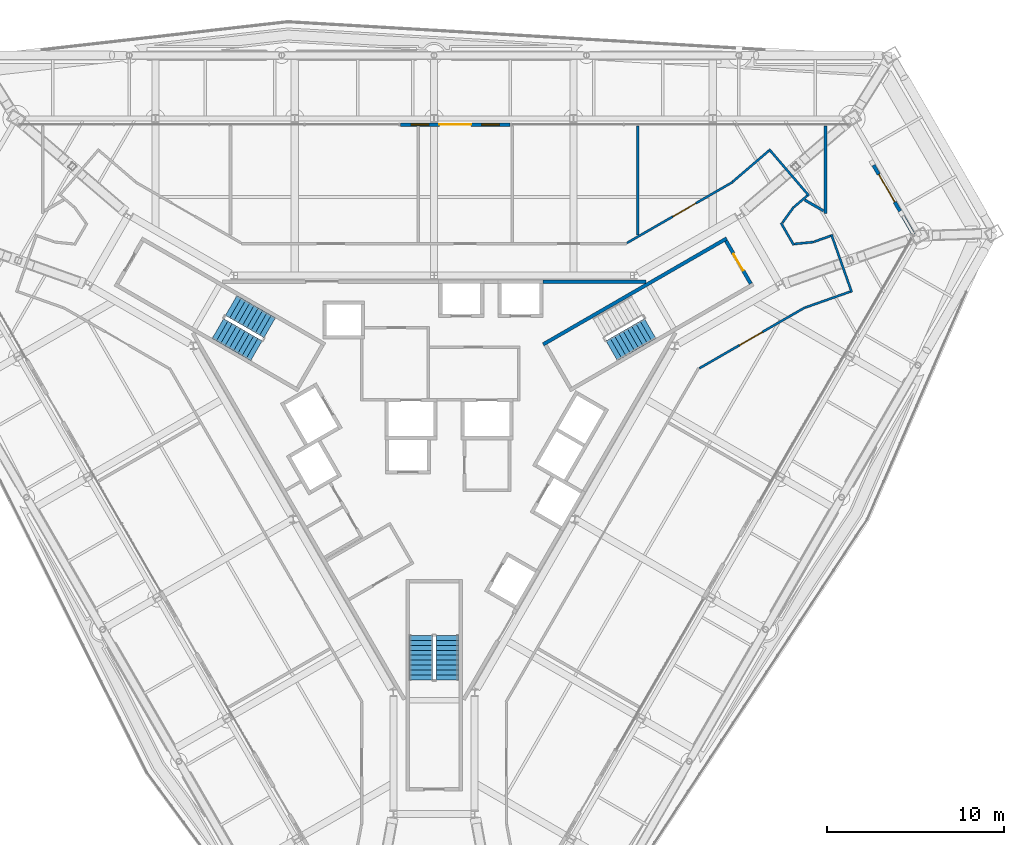
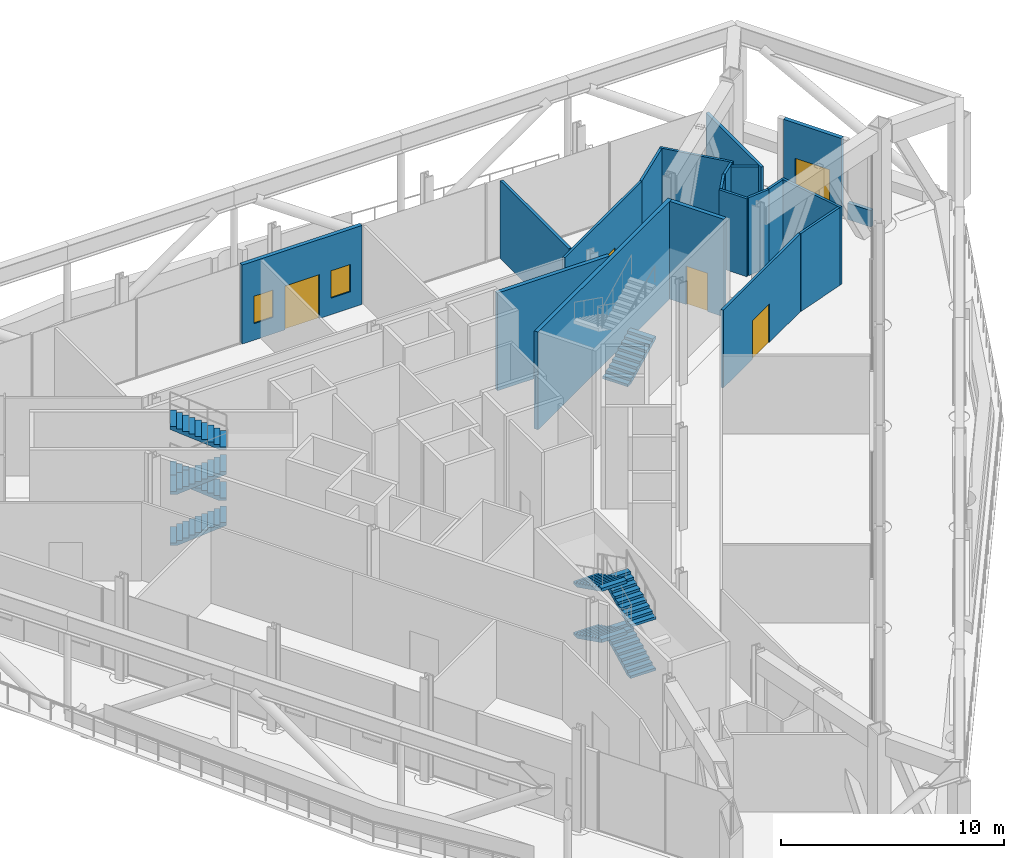
# One storey, part 19 of 26: 20 walls, 9 stair flights, 5 doors, 2 windows, 7 openings, 3 elements without a shape of their own.
"""IFC4 building model written with IfcOpenShell, lengths in metres."""

from ifc_helpers import new_model, si_unit, direction, frame, frame_2d, origin, place, context, subcontext, project, spatial, polyline, rectangle, outline, extrude, material, layer, layer_set, type_object, element, fill, aggregate, save


model = new_model("IFC4")

# Units and contexts
model_context = context("Model", 3, precision=1e-05, world=origin(), true_north=direction((0.0, 1.0)))
body_context = subcontext(model_context, "Body", "Model", "MODEL_VIEW")
ifc_project = project(units=[si_unit("LENGTHUNIT", "METRE"), si_unit("AREAUNIT", "SQUARE_METRE"), si_unit("VOLUMEUNIT", "CUBIC_METRE"), si_unit("PLANEANGLEUNIT", "RADIAN"), si_unit("MASSUNIT", "GRAM", prefix="KILO")], contexts=[model_context])

# Site, building, storey
site_placement = place(None, origin())
site = spatial("IfcSite", under=ifc_project, at=site_placement, CompositionType="ELEMENT")
building_placement = place(site_placement, origin())
building = spatial("IfcBuilding", under=site, at=building_placement, Name="Verrane Prism Tower", CompositionType="ELEMENT")
storey_placement = place(building_placement, frame((0.0, 0.0, 87.199951171875)))
storey = spatial("IfcBuildingStorey", under=building, at=storey_placement, Name="L20", CompositionType="ELEMENT", Elevation=87.199951171875)

# Wall
ifc_material_1 = material(Name="Gypsum board partition", Category="other")
ifc_layer_1 = layer(ifc_material_1, 0.199951171875)
ifc_layer_set_1 = layer_set([ifc_layer_1], Name="CW-200 core boundary wall 2 h")
wall_type_1 = type_object("IfcWallType", Name="CW-200 core boundary wall 2 h", PredefinedType="PARTITIONING", material=ifc_layer_set_1)
wall_1_placement = place(storey_placement, frame((6.177001953125, 8.860107421875, 0.0), z_axis=(0.0, 0.0, 1.0), x_axis=(1.0, 0.0, 0.0)))
element("IfcWall", 1, at=wall_1_placement, inside=storey, type_object=wall_type_1, Name="Core boundary wall CW3-006", PredefinedType="PARTITIONING", context=body_context, shape_type="SweptSolid", body=[
    extrude(rectangle(XDim=5.81396484375, YDim=0.199951171875, at=frame_2d((2.906982421875, 0.0))), origin(), (0.0, 0.0, 1.0), 5.35009765625),
])

# Wall, opening, door
ifc_material_2 = material(Name="Concrete C40/50", Category="concrete")
ifc_layer_2 = layer(ifc_material_2, 0.199951171875)
ifc_layer_set_2 = layer_set([ifc_layer_2], Name="CW-200 stair core wall concrete C40/50 3 h")
wall_type_2 = type_object("IfcWallType", Name="CW-200 stair core wall concrete C40/50 3 h", PredefinedType="PARTITIONING", material=ifc_layer_set_2)
wall_2_placement = place(storey_placement, frame((17.933837890625, 8.737548828125, 0.0), z_axis=(0.0, 0.0, 1.0), x_axis=(-0.49998411664, 0.866034573852, 0.0)))
wall_2 = element("IfcWall", 2, at=wall_2_placement, inside=storey, type_object=wall_type_2, Name="Stair 1 enclosure wall", PredefinedType="PARTITIONING", context=body_context, shape_type="SweptSolid", body=[
    extrude(rectangle(XDim=2.7998046875, YDim=0.199951171875, at=frame_2d((1.39990234375, 0.0))), origin(), (0.0, 0.0, 1.0), 5.35009765625),
])
opening_1_placement = place(wall_2_placement, frame((0.849853515625, 0.0, 0.0)))
opening_1 = element("IfcOpeningElement", 3, at=opening_1_placement, cuts=wall_2, Name="Opening D20500", PredefinedType="OPENING", context=body_context, shape_type="SweptSolid", body=[
    extrude(rectangle(XDim=1.10009765625, YDim=2.10009765625, at=frame_2d((0.550048828125, 1.050048828125))), frame((0.0, 0.10986328125, 0.0), z_axis=(0.0, -1.0, 0.0), x_axis=(1.0, 0.0, 0.0)), (0.0, 0.0, 1.0), 0.219970703125),
])
ifc_material_3 = material(Name="Timber veneered door leaf", Category="wood")
door_type_1 = type_object("IfcDoorType", Name="DR-1100x2100 FD90 single leaf stair", OperationType="NOTDEFINED", PredefinedType="DOOR", material=ifc_material_3)
door_1_placement = place(opening_1_placement, origin())
door_1 = element("IfcDoor", 4, at=door_1_placement, inside=storey, type_object=door_type_1, Name="Stair 1 door", OperationType="SINGLE_SWING_LEFT", OverallHeight=2.10009765625, OverallWidth=1.10009765625, PredefinedType="DOOR", context=body_context, shape_type="SweptSolid", body=[
    extrude(rectangle(XDim=1.10009765625, YDim=2.10009765625, at=frame_2d((0.550048828125, 1.050048828125))), frame((0.0, 0.02490234375, 0.0), z_axis=(0.0, -1.0, 0.0), x_axis=(1.0, 0.0, 0.0)), (0.0, 0.0, 1.0), 0.050048828125),
])
fill(opening_1, door_1)

# Wall
wall_3_placement = place(storey_placement, frame((6.17822265625, 5.299072265625, 0.0), z_axis=(0.0, 0.0, 1.0), x_axis=(0.866026010844, 0.49999894854, 0.0)))
element("IfcWall", 5, at=wall_3_placement, inside=storey, type_object=wall_type_2, Name="Stair 1 enclosure wall", PredefinedType="PARTITIONING", context=body_context, shape_type="SweptSolid", body=[
    extrude(rectangle(XDim=12.0, YDim=0.199951171875, at=frame_2d((6.0, 0.0))), origin(), (0.0, 0.0, 1.0), 5.35009765625),
])

# Wall, opening, door
ifc_material_4 = material(Name="Gypsum board partition", Category="other")
ifc_layer_3 = layer(ifc_material_4, 0.125)
ifc_layer_set_3 = layer_set([ifc_layer_3], Name="PW-125 corridor wall 1 h")
wall_type_3 = type_object("IfcWallType", Name="PW-125 corridor wall 1 h", PredefinedType="PARTITIONING", material=ifc_layer_set_3)
wall_4_placement = place(storey_placement, frame((10.922607421875, 11.04248046875, 0.0), z_axis=(0.0, 0.0, 1.0), x_axis=(0.866404548649, 0.499342726071, 0.0)))
wall_4 = element("IfcWall", 6, at=wall_4_placement, inside=storey, type_object=wall_type_3, Name="Corridor wall 036", PredefinedType="PARTITIONING", context=body_context, shape_type="SweptSolid", body=[
    extrude(rectangle(XDim=6.902587890625, YDim=0.125, at=frame_2d((3.451171875, 0.0))), origin(), (0.0, 0.0, 1.0), 4.261962890625),
])
opening_2_placement = place(wall_4_placement, frame((2.998046875, 0.0, 0.0)))
opening_2 = element("IfcOpeningElement", 7, at=opening_2_placement, cuts=wall_4, Name="Opening D20001", PredefinedType="OPENING", context=body_context, shape_type="SweptSolid", body=[
    extrude(rectangle(XDim=1.5, YDim=2.10009765625, at=frame_2d((0.75, 1.050048828125))), frame((0.0, 0.072509765625, 0.0), z_axis=(0.0, -1.0, 0.0), x_axis=(1.0, 0.0, 0.0)), (0.0, 0.0, 1.0), 0.14501953125),
])
ifc_material_5 = material(Name="Timber veneered door leaf", Category="wood")
door_type_2 = type_object("IfcDoorType", Name="DR-1500x2100 FD60 double leaf unit", OperationType="NOTDEFINED", PredefinedType="DOOR", material=ifc_material_5)
door_2_placement = place(opening_2_placement, origin())
door_2 = element("IfcDoor", 8, at=door_2_placement, inside=storey, type_object=door_type_2, Name="Mechanical Plant Room door", OperationType="DOUBLE_DOOR_SINGLE_SWING", OverallHeight=2.10009765625, OverallWidth=1.5, PredefinedType="DOOR", context=body_context, shape_type="SweptSolid", body=[
    extrude(rectangle(XDim=1.5, YDim=2.10009765625, at=frame_2d((0.75, 1.050048828125))), frame((0.0, 0.02490234375, 0.0), z_axis=(0.0, -1.0, 0.0), x_axis=(1.0, 0.0, 0.0)), (0.0, 0.0, 1.0), 0.050048828125),
])
fill(opening_2, door_2)

wall_5_placement = place(storey_placement, frame((21.01025390625, 7.395263671875, 0.0), z_axis=(0.0, 0.0, 1.0), x_axis=(-0.866435403895, -0.49928918562, 0.0)))
wall_5 = element("IfcWall", 9, at=wall_5_placement, inside=storey, type_object=wall_type_3, Name="Corridor wall 039", PredefinedType="PARTITIONING", context=body_context, shape_type="SweptSolid", body=[
    extrude(rectangle(XDim=6.91162109375, YDim=0.125, at=frame_2d((3.455810546875, 0.0))), origin(), (0.0, 0.0, 1.0), 4.261962890625),
])
opening_3_placement = place(wall_5_placement, frame((2.796630859375, 0.0, 0.0)))
opening_3 = element("IfcOpeningElement", 10, at=opening_3_placement, cuts=wall_5, Name="Opening D20011", PredefinedType="OPENING", context=body_context, shape_type="SweptSolid", body=[
    extrude(rectangle(XDim=1.5, YDim=2.10009765625, at=frame_2d((0.75, 1.050048828125))), frame((0.0, 0.072509765625, 0.0), z_axis=(0.0, -1.0, 0.0), x_axis=(1.0, 0.0, 0.0)), (0.0, 0.0, 1.0), 0.14501953125),
])
door_3_placement = place(opening_3_placement, origin())
door_3 = element("IfcDoor", 11, at=door_3_placement, inside=storey, type_object=door_type_2, Name="Refuge Area door", OperationType="DOUBLE_DOOR_SINGLE_SWING", OverallHeight=2.10009765625, OverallWidth=1.5, PredefinedType="DOOR", context=body_context, shape_type="SweptSolid", body=[
    extrude(rectangle(XDim=1.5, YDim=2.10009765625, at=frame_2d((0.75, 1.050048828125))), frame((0.0, 0.02490234375, 0.0), z_axis=(0.0, -1.0, 0.0), x_axis=(1.0, 0.0, 0.0)), (0.0, 0.0, 1.0), 0.050048828125),
])
fill(opening_3, door_3)

# Walls
wall_6_placement = place(storey_placement, frame((16.906005859375, 14.5068359375, 0.0), z_axis=(0.0, 0.0, 1.0), x_axis=(0.759180150355, 0.650880556866, 0.0)))
element("IfcWall", 12, at=wall_6_placement, inside=storey, type_object=wall_type_3, Name="Corridor wall 040", PredefinedType="PARTITIONING", context=body_context, shape_type="SweptSolid", body=[
    extrude(rectangle(XDim=2.705078125, YDim=0.125, at=frame_2d((1.3525390625, 0.0))), origin(), (0.0, 0.0, 1.0), 4.261962890625),
])
wall_7_placement = place(storey_placement, frame((18.96826171875, 16.357421875, 0.0), z_axis=(0.0, 0.0, 1.0), x_axis=(0.650692980458, -0.759340928162, 0.0)))
element("IfcWall", 13, at=wall_7_placement, inside=storey, type_object=wall_type_3, Name="Corridor wall 041", PredefinedType="PARTITIONING", context=body_context, shape_type="SweptSolid", body=[
    extrude(rectangle(XDim=3.473876953125, YDim=0.125, at=frame_2d((1.73681640625, 0.0))), origin(), (0.0, 0.0, 1.0), 4.261962890625),
])
wall_8_placement = place(storey_placement, frame((19.646728515625, 12.176025390625, 0.0), z_axis=(0.0, 0.0, 1.0), x_axis=(0.500429691499, -0.865777179109, 0.0)))
element("IfcWall", 14, at=wall_8_placement, inside=storey, type_object=wall_type_3, Name="Corridor wall 042", PredefinedType="PARTITIONING", context=body_context, shape_type="SweptSolid", body=[
    extrude(rectangle(XDim=1.444091796875, YDim=0.125, at=frame_2d((0.72216796875, 0.0))), origin(), (0.0, 0.0, 1.0), 4.261962890625),
])
wall_9_placement = place(storey_placement, frame((19.724853515625, 12.18701171875, 0.0), z_axis=(0.0, 0.0, 1.0), x_axis=(0.584241196602, 0.811580078731, 0.0)))
element("IfcWall", 15, at=wall_9_placement, inside=storey, type_object=wall_type_3, Name="Corridor wall 043", PredefinedType="PARTITIONING", context=body_context, shape_type="SweptSolid", body=[
    extrude(rectangle(XDim=1.113525390625, YDim=0.125, at=frame_2d((0.556640625, 0.0))), origin(), (0.0, 0.0, 1.0), 4.261962890625),
])
wall_10_placement = place(storey_placement, frame((20.41748046875, 10.988037109375, 0.0), z_axis=(0.0, 0.0, 1.0), x_axis=(0.994917271195, 0.100695697415, 0.0)))
element("IfcWall", 16, at=wall_10_placement, inside=storey, type_object=wall_type_3, Name="Corridor wall 044", PredefinedType="PARTITIONING", context=body_context, shape_type="SweptSolid", body=[
    extrude(rectangle(XDim=1.115234375, YDim=0.125, at=frame_2d((0.5576171875, 0.0))), origin(), (0.0, 0.0, 1.0), 4.261962890625),
])
wall_11_placement = place(storey_placement, frame((20.39599609375, 13.0888671875, 0.0), z_axis=(0.0, 0.0, 1.0), x_axis=(0.759679514404, 0.650297651383, 0.0)))
element("IfcWall", 17, at=wall_11_placement, inside=storey, type_object=wall_type_3, Name="Corridor wall 045", PredefinedType="PARTITIONING", context=body_context, shape_type="SweptSolid", body=[
    extrude(rectangle(XDim=0.9775390625, YDim=0.125, at=frame_2d((0.48876953125, 0.0))), origin(), (0.0, 0.0, 1.0), 4.261962890625),
])
wall_12_placement = place(storey_placement, frame((21.026611328125, 7.388916015625, 0.0), z_axis=(0.0, 0.0, 1.0), x_axis=(0.942973633361, 0.332867431249, 0.0)))
element("IfcWall", 18, at=wall_12_placement, inside=storey, type_object=wall_type_3, Name="Corridor wall 047", PredefinedType="PARTITIONING", context=body_context, shape_type="SweptSolid", body=[
    extrude(rectangle(XDim=2.698974609375, YDim=0.125, at=frame_2d((1.349609375, 0.0))), origin(), (0.0, 0.0, 1.0), 4.261962890625),
])
wall_13_placement = place(storey_placement, frame((21.53564453125, 11.118896484375, 0.0), z_axis=(0.0, 0.0, 1.0), x_axis=(0.942994942742, 0.332807058161, 0.0)))
element("IfcWall", 19, at=wall_13_placement, inside=storey, type_object=wall_type_3, Name="Corridor wall 048", PredefinedType="PARTITIONING", context=body_context, shape_type="SweptSolid", body=[
    extrude(rectangle(XDim=0.977783203125, YDim=0.125, at=frame_2d((0.48876953125, 0.0))), origin(), (0.0, 0.0, 1.0), 4.261962890625),
])
wall_14_placement = place(storey_placement, frame((22.498291015625, 11.52490234375, 0.0), z_axis=(0.0, 0.0, 1.0), x_axis=(0.332735538655, -0.943020180757, 0.0)))
element("IfcWall", 20, at=wall_14_placement, inside=storey, type_object=wall_type_3, Name="Corridor wall 050", PredefinedType="PARTITIONING", context=body_context, shape_type="SweptSolid", body=[
    extrude(rectangle(XDim=3.472900390625, YDim=0.125, at=frame_2d((1.736328125, 0.0))), origin(), (0.0, 0.0, 1.0), 4.261962890625),
])
ifc_material_6 = material(Name="Gypsum board partition", Category="other")
ifc_layer_4 = layer(ifc_material_6, 0.14990234375)
ifc_layer_set_4 = layer_set([ifc_layer_4], Name="PW-150 demising wall 1 h")
wall_type_4 = type_object("IfcWallType", Name="PW-150 demising wall 1 h", PredefinedType="PARTITIONING", material=ifc_layer_set_4)
wall_15_placement = place(storey_placement, frame((11.527099609375, 11.50634765625, 0.0), z_axis=(0.0, 0.0, 1.0), x_axis=(0.0, 1.0, 0.0)))
element("IfcWall", 21, at=wall_15_placement, inside=storey, type_object=wall_type_4, Name="Demising wall 037", PredefinedType="PARTITIONING", context=body_context, shape_type="SweptSolid", body=[
    extrude(rectangle(XDim=6.148681640625, YDim=0.14990234375, at=frame_2d((3.07421875, 0.0))), origin(), (0.0, 0.0, 1.0), 4.261962890625),
])
wall_16_placement = place(storey_placement, frame((20.9873046875, 13.480712890625, 0.0), z_axis=(0.0, 0.0, 1.0), x_axis=(0.86601746898, -0.500013743233, 0.0)))
element("IfcWall", 22, at=wall_16_placement, inside=storey, type_object=wall_type_4, Name="Demising wall 046", PredefinedType="PARTITIONING", context=body_context, shape_type="SweptSolid", body=[
    extrude(rectangle(XDim=1.2333984375, YDim=0.14990234375, at=frame_2d((0.61669921875, 0.0))), origin(), (0.0, 0.0, 1.0), 4.261962890625),
])
wall_17_placement = place(storey_placement, frame((22.16796875, 12.72412109375, 0.0), z_axis=(0.0, 0.0, 1.0), x_axis=(0.0, 1.0, 0.0)))
element("IfcWall", 23, at=wall_17_placement, inside=storey, type_object=wall_type_4, Name="Demising wall 049", PredefinedType="PARTITIONING", context=body_context, shape_type="SweptSolid", body=[
    extrude(rectangle(XDim=4.930908203125, YDim=0.14990234375, at=frame_2d((2.46533203125, 0.0))), origin(), (0.0, 0.0, 1.0), 4.261962890625),
])

# Wall, opening, door
ifc_material_7 = material(Name="Aluminium framed insulated glazing", Category="aluminium")
ifc_layer_5 = layer(ifc_material_7, 0.199951171875)
ifc_layer_set_5 = layer_set([ifc_layer_5], Name="Refuge screen wall 200")
wall_type_5 = type_object("IfcWallType", Name="Refuge screen wall 200", PredefinedType="SOLIDWALL", material=ifc_layer_set_5)
wall_18_placement = place(storey_placement, frame((26.386962890625, 12.845947265625, 0.0), z_axis=(0.0, 0.0, 1.0), x_axis=(-0.499990139034, 0.866031096941, 0.0)))
wall_18 = element("IfcWall", 24, at=wall_18_placement, inside=storey, type_object=wall_type_5, Name="Refuge screen wall north-east corner L20", PredefinedType="SOLIDWALL", context=body_context, shape_type="SweptSolid", body=[
    extrude(rectangle(XDim=3.0, YDim=0.199951171875, at=frame_2d((1.5, 0.0))), origin(), (0.0, 0.0, 1.0), 4.322509765625),
])
opening_4_placement = place(wall_18_placement, frame((0.60009765625, 0.0, 0.0)))
opening_4 = element("IfcOpeningElement", 25, at=opening_4_placement, cuts=wall_18, Name="Opening D20701", PredefinedType="OPENING", context=body_context, shape_type="SweptSolid", body=[
    extrude(rectangle(XDim=1.800048828125, YDim=2.39990234375, at=frame_2d((0.89990234375, 1.199951171875))), frame((0.0, 0.10986328125, 0.0), z_axis=(0.0, -1.0, 0.0), x_axis=(1.0, 0.0, 0.0)), (0.0, 0.0, 1.0), 0.219970703125),
])
ifc_material_8 = material(Name="Aluminium framed glazing", Category="aluminium")
door_type_3 = type_object("IfcDoorType", Name="DR-1800x2400 double glazed garden door", OperationType="DOUBLE_DOOR_SINGLE_SWING", PredefinedType="DOOR", material=ifc_material_8)
door_4_placement = place(opening_4_placement, frame((1.800048828125, 0.0, 0.0), z_axis=(0.0, 0.0, 1.0), x_axis=(-1.0, 0.0, 0.0)))
door_4 = element("IfcDoor", 26, at=door_4_placement, inside=storey, type_object=door_type_3, Name="Refuge terrace door D20701", OperationType="DOUBLE_DOOR_SINGLE_SWING", OverallHeight=2.39990234375, OverallWidth=1.800048828125, PredefinedType="DOOR", context=body_context, shape_type="SweptSolid", body=[
    extrude(rectangle(XDim=1.800048828125, YDim=2.39990234375, at=frame_2d((0.89990234375, 1.199951171875))), frame((0.0, 0.02490234375, 0.0), z_axis=(0.0, -1.0, 0.0), x_axis=(1.0, 0.0, 0.0)), (0.0, 0.0, 1.0), 0.050048828125),
])
fill(opening_4, door_4)

# Wall, openings, door, windows
wall_19_placement = place(storey_placement, frame((4.300048828125, 17.7509765625, 0.0), z_axis=(0.0, 0.0, 1.0), x_axis=(-1.0, 0.0, 0.0)))
wall_19 = element("IfcWall", 27, at=wall_19_placement, inside=storey, type_object=wall_type_5, Name="Refuge screen wall north face L20", PredefinedType="SOLIDWALL", context=body_context, shape_type="SweptSolid", body=[
    extrude(rectangle(XDim=6.199951171875, YDim=0.199951171875, at=frame_2d((3.10009765625, 0.0))), origin(), (0.0, 0.0, 1.0), 4.322509765625),
])
opening_5_placement = place(wall_19_placement, frame((0.60009765625, 0.0, 0.89990234375)))
opening_5 = element("IfcOpeningElement", 28, at=opening_5_placement, cuts=wall_19, Name="Opening W20701", PredefinedType="OPENING", context=body_context, shape_type="SweptSolid", body=[
    extrude(rectangle(XDim=1.0, YDim=1.5, at=frame_2d((0.5, 0.75))), frame((0.0, 0.10986328125, 0.0), z_axis=(0.0, -1.0, 0.0), x_axis=(1.0, 0.0, 0.0)), (0.0, 0.0, 1.0), 0.219970703125),
])
opening_6_placement = place(wall_19_placement, frame((2.199951171875, 0.0, 0.0)))
opening_6 = element("IfcOpeningElement", 29, at=opening_6_placement, cuts=wall_19, Name="Opening D20702", PredefinedType="OPENING", context=body_context, shape_type="SweptSolid", body=[
    extrude(rectangle(XDim=1.800048828125, YDim=2.39990234375, at=frame_2d((0.89990234375, 1.199951171875))), frame((0.0, 0.10986328125, 0.0), z_axis=(0.0, -1.0, 0.0), x_axis=(1.0, 0.0, 0.0)), (0.0, 0.0, 1.0), 0.219970703125),
])
opening_7_placement = place(wall_19_placement, frame((4.60009765625, 0.0, 0.89990234375)))
opening_7 = element("IfcOpeningElement", 30, at=opening_7_placement, cuts=wall_19, Name="Opening W20702", PredefinedType="OPENING", context=body_context, shape_type="SweptSolid", body=[
    extrude(rectangle(XDim=1.0, YDim=1.5, at=frame_2d((0.5, 0.75))), frame((0.0, 0.10986328125, 0.0), z_axis=(0.0, -1.0, 0.0), x_axis=(1.0, 0.0, 0.0)), (0.0, 0.0, 1.0), 0.219970703125),
])
door_5_placement = place(opening_6_placement, frame((1.800048828125, 0.0, 0.0), z_axis=(0.0, 0.0, 1.0), x_axis=(-1.0, 0.0, 0.0)))
door_5 = element("IfcDoor", 31, at=door_5_placement, inside=storey, type_object=door_type_3, Name="Refuge terrace door D20702", OperationType="DOUBLE_DOOR_SINGLE_SWING", OverallHeight=2.39990234375, OverallWidth=1.800048828125, PredefinedType="DOOR", context=body_context, shape_type="SweptSolid", body=[
    extrude(rectangle(XDim=1.800048828125, YDim=2.39990234375, at=frame_2d((0.89990234375, 1.199951171875))), frame((0.0, 0.02490234375, 0.0), z_axis=(0.0, -1.0, 0.0), x_axis=(1.0, 0.0, 0.0)), (0.0, 0.0, 1.0), 0.050048828125),
])
fill(opening_6, door_5)
ifc_material_9 = material(Name="Aluminium framed glazing", Category="aluminium")
window_type = type_object("IfcWindowType", Name="Vent window 1000x1500 top hung", PartitioningType="SINGLE_PANEL", PredefinedType="WINDOW", material=ifc_material_9)
window_1_placement = place(opening_5_placement, origin())
window_1 = element("IfcWindow", 32, at=window_1_placement, inside=storey, type_object=window_type, Name="Vent window W20701", OverallHeight=1.5, OverallWidth=1.0, PartitioningType="SINGLE_PANEL", PredefinedType="WINDOW", context=body_context, shape_type="SweptSolid", body=[
    extrude(rectangle(XDim=1.0, YDim=1.5, at=frame_2d((0.5, 0.75))), frame((0.0, 0.030029296875, 0.0), z_axis=(0.0, -1.0, 0.0), x_axis=(1.0, 0.0, 0.0)), (0.0, 0.0, 1.0), 0.06005859375),
])
fill(opening_5, window_1)
window_2_placement = place(opening_7_placement, origin())
window_2 = element("IfcWindow", 33, at=window_2_placement, inside=storey, type_object=window_type, Name="Vent window W20702", OverallHeight=1.5, OverallWidth=1.0, PartitioningType="SINGLE_PANEL", PredefinedType="WINDOW", context=body_context, shape_type="SweptSolid", body=[
    extrude(rectangle(XDim=1.0, YDim=1.5, at=frame_2d((0.5, 0.75))), frame((0.0, 0.030029296875, 0.0), z_axis=(0.0, -1.0, 0.0), x_axis=(1.0, 0.0, 0.0)), (0.0, 0.0, 1.0), 0.06005859375),
])
fill(opening_7, window_2)

# Wall
ifc_material_10 = material(Name="Concrete C35/45", Category="concrete")
ifc_layer_6 = layer(ifc_material_10, 0.199951171875)
ifc_layer_set_6 = layer_set([ifc_layer_6], Name="Refuge sill upstand 200")
wall_type_6 = type_object("IfcWallType", Name="Refuge sill upstand 200", PredefinedType="SOLIDWALL", material=ifc_layer_set_6)
wall_20_placement = place(storey_placement, frame((27.150390625, 11.523681640625, 0.0), z_axis=(0.0, 0.0, 1.0), x_axis=(-0.499934333537, 0.866063313015, 0.0)))
element("IfcWall", 34, at=wall_20_placement, inside=storey, type_object=wall_type_6, Name="Refuge sill upstand north-east corner L20 1", PredefinedType="SOLIDWALL", context=body_context, shape_type="SweptSolid", body=[
    extrude(rectangle(XDim=1.197021484375, YDim=0.199951171875, at=frame_2d((0.5986328125, 0.0))), origin(), (0.0, 0.0, 1.0), 0.900146484375),
])

# Stair, stair flight
ifc_material_11 = material(Name="Concrete C40/50", Category="concrete")
stair_type = type_object("IfcStairType", Name="Exit stair 1300 dog-leg precast concrete C40/50", PredefinedType="HALF_TURN_STAIR", material=ifc_material_11)
stair_1_placement = place(storey_placement, origin())
stair_1 = element("IfcStair", 35, at=stair_1_placement, inside=storey, type_object=stair_type, Name="Stair 1 L20", PredefinedType="HALF_TURN_STAIR")
ifc_material_12 = material(Name="Concrete C40/50", Category="concrete")
stair_flight_type = type_object("IfcStairFlightType", Name="Stair flight 1300 precast concrete C40/50", PredefinedType="STRAIGHT", material=ifc_material_12)
stair_flight_1_placement = place(storey_placement, frame((10.05712890625, 4.9404296875, 1.400146484375), z_axis=(0.0, 0.0, 1.0), x_axis=(0.866025403784, 0.5, 0.0)))
stair_flight_1 = element("IfcStairFlight", 36, at=stair_flight_1_placement, type_object=stair_flight_type, Name="Stair 1 flight 2", NumberOfRisers=10, NumberOfTreads=9, PredefinedType="STRAIGHT", RiserHeight=0.14, TreadLength=0.28, context=body_context, shape_type="SweptSolid", body=[
    extrude(outline(polyline([(0.0, 0.0), (0.0, 0.139892578125), (0.280029296875, 0.139892578125), (0.280029296875, 0.280029296875), (0.56005859375, 0.280029296875), (0.56005859375, 0.419921875), (0.840087890625, 0.419921875), (0.840087890625, 0.56005859375), (1.1201171875, 0.56005859375), (1.1201171875, 0.699951171875), (1.39990234375, 0.699951171875), (1.39990234375, 0.840087890625), (1.679931640625, 0.840087890625), (1.679931640625, 0.97998046875), (1.9599609375, 0.97998046875), (1.9599609375, 1.1201171875), (2.239990234375, 1.1201171875), (2.239990234375, 1.260009765625), (2.52001953125, 1.260009765625), (2.52001953125, 1.39990234375), (2.52001953125, 1.09228515625), (0.335205078125, 0.0), (0.0, 0.0)])), frame((0.0, 0.64990234375, 0.0), z_axis=(0.0, -1.0, 0.0), x_axis=(1.0, 0.0, 0.0)), (0.0, 0.0, 1.0), 1.300048828125),
])
aggregate(stair_1, [stair_flight_1])

# Stair, stair flights
stair_2_placement = place(storey_placement, origin())
stair_2 = element("IfcStair", 37, at=stair_2_placement, inside=storey, type_object=stair_type, Name="Stair 2 L20", PredefinedType="HALF_TURN_STAIR")
stair_flight_2_placement = place(storey_placement, frame((-12.239501953125, 6.200439453125, 0.0), z_axis=(0.0, 0.0, 1.0), x_axis=(0.866025403784, -0.5, 0.0)))
stair_flight_2 = element("IfcStairFlight", 38, at=stair_flight_2_placement, type_object=stair_flight_type, Name="Stair 2 flight 1", NumberOfRisers=10, NumberOfTreads=9, PredefinedType="STRAIGHT", RiserHeight=0.14, TreadLength=0.28, context=body_context, shape_type="SweptSolid", body=[
    extrude(outline(polyline([(0.0, 0.0), (0.0, 0.139892578125), (0.280029296875, 0.139892578125), (0.280029296875, 0.280029296875), (0.56005859375, 0.280029296875), (0.56005859375, 0.419921875), (0.840087890625, 0.419921875), (0.840087890625, 0.56005859375), (1.1201171875, 0.56005859375), (1.1201171875, 0.699951171875), (1.39990234375, 0.699951171875), (1.39990234375, 0.840087890625), (1.679931640625, 0.840087890625), (1.679931640625, 0.97998046875), (1.9599609375, 0.97998046875), (1.9599609375, 1.1201171875), (2.239990234375, 1.1201171875), (2.239990234375, 1.260009765625), (2.52001953125, 1.260009765625), (2.52001953125, 1.39990234375), (2.52001953125, 1.09228515625), (0.335205078125, 0.0), (0.0, 0.0)])), frame((0.0, 0.64990234375, 0.0), z_axis=(0.0, -1.0, 0.0), x_axis=(1.0, 0.0, 0.0)), (0.0, 0.0, 1.0), 1.300048828125),
])
stair_flight_3_placement = place(storey_placement, frame((-9.30712890625, 6.239501953125, 1.400146484375), z_axis=(0.0, 0.0, 1.0), x_axis=(-0.866025403784, 0.5, 0.0)))
stair_flight_3 = element("IfcStairFlight", 39, at=stair_flight_3_placement, type_object=stair_flight_type, Name="Stair 2 flight 2", NumberOfRisers=10, NumberOfTreads=9, PredefinedType="STRAIGHT", RiserHeight=0.14, TreadLength=0.28, context=body_context, shape_type="SweptSolid", body=[
    extrude(outline(polyline([(0.0, 0.0), (0.0, 0.139892578125), (0.280029296875, 0.139892578125), (0.280029296875, 0.280029296875), (0.56005859375, 0.280029296875), (0.56005859375, 0.419921875), (0.840087890625, 0.419921875), (0.840087890625, 0.56005859375), (1.1201171875, 0.56005859375), (1.1201171875, 0.699951171875), (1.39990234375, 0.699951171875), (1.39990234375, 0.840087890625), (1.679931640625, 0.840087890625), (1.679931640625, 0.97998046875), (1.9599609375, 0.97998046875), (1.9599609375, 1.1201171875), (2.239990234375, 1.1201171875), (2.239990234375, 1.260009765625), (2.52001953125, 1.260009765625), (2.52001953125, 1.39990234375), (2.52001953125, 1.09228515625), (0.335205078125, 0.0), (0.0, 0.0)])), frame((0.0, 0.64990234375, 0.0), z_axis=(0.0, -1.0, 0.0), x_axis=(1.0, 0.0, 0.0)), (0.0, 0.0, 1.0), 1.300048828125),
])
stair_flight_4_placement = place(storey_placement, frame((-12.239501953125, 6.200439453125, 2.800048828125), z_axis=(0.0, 0.0, 1.0), x_axis=(0.866025403784, -0.5, 0.0)))
stair_flight_4 = element("IfcStairFlight", 40, at=stair_flight_4_placement, type_object=stair_flight_type, Name="Stair 2 flight 3", NumberOfRisers=10, NumberOfTreads=9, PredefinedType="STRAIGHT", RiserHeight=0.14, TreadLength=0.28, context=body_context, shape_type="SweptSolid", body=[
    extrude(outline(polyline([(0.0, 0.0), (0.0, 0.139892578125), (0.280029296875, 0.139892578125), (0.280029296875, 0.280029296875), (0.56005859375, 0.280029296875), (0.56005859375, 0.419921875), (0.840087890625, 0.419921875), (0.840087890625, 0.56005859375), (1.1201171875, 0.56005859375), (1.1201171875, 0.699951171875), (1.39990234375, 0.699951171875), (1.39990234375, 0.840087890625), (1.679931640625, 0.840087890625), (1.679931640625, 0.97998046875), (1.9599609375, 0.97998046875), (1.9599609375, 1.1201171875), (2.239990234375, 1.1201171875), (2.239990234375, 1.260009765625), (2.52001953125, 1.260009765625), (2.52001953125, 1.39990234375), (2.52001953125, 1.09228515625), (0.335205078125, 0.0), (0.0, 0.0)])), frame((0.0, 0.64990234375, 0.0), z_axis=(0.0, -1.0, 0.0), x_axis=(1.0, 0.0, 0.0)), (0.0, 0.0, 1.0), 1.300048828125),
])
stair_flight_5_placement = place(storey_placement, frame((-9.30712890625, 6.239501953125, 4.199951171875), z_axis=(0.0, 0.0, 1.0), x_axis=(-0.866025403784, 0.5, 0.0)))
stair_flight_5 = element("IfcStairFlight", 41, at=stair_flight_5_placement, type_object=stair_flight_type, Name="Stair 2 flight 4", NumberOfRisers=10, NumberOfTreads=9, PredefinedType="STRAIGHT", RiserHeight=0.14, TreadLength=0.28, context=body_context, shape_type="SweptSolid", body=[
    extrude(outline(polyline([(0.0, 0.0), (0.0, 0.139892578125), (0.280029296875, 0.139892578125), (0.280029296875, 0.280029296875), (0.56005859375, 0.280029296875), (0.56005859375, 0.419921875), (0.840087890625, 0.419921875), (0.840087890625, 0.56005859375), (1.1201171875, 0.56005859375), (1.1201171875, 0.699951171875), (1.39990234375, 0.699951171875), (1.39990234375, 0.840087890625), (1.679931640625, 0.840087890625), (1.679931640625, 0.97998046875), (1.9599609375, 0.97998046875), (1.9599609375, 1.1201171875), (2.239990234375, 1.1201171875), (2.239990234375, 1.260009765625), (2.52001953125, 1.260009765625), (2.52001953125, 1.39990234375), (2.52001953125, 1.09228515625), (0.335205078125, 0.0), (0.0, 0.0)])), frame((0.0, 0.64990234375, 0.0), z_axis=(0.0, -1.0, 0.0), x_axis=(1.0, 0.0, 0.0)), (0.0, 0.0, 1.0), 1.300048828125),
])
aggregate(stair_2, [stair_flight_2, stair_flight_3, stair_flight_4, stair_flight_5])

stair_3_placement = place(storey_placement, origin())
stair_3 = element("IfcStair", 42, at=stair_3_placement, inside=storey, type_object=stair_type, Name="Stair 3 L20", PredefinedType="HALF_TURN_STAIR")
stair_flight_6_placement = place(storey_placement, frame((0.75, -13.699951171875, 0.0), z_axis=(0.0, 0.0, 1.0), x_axis=(0.0, 1.0, 0.0)))
stair_flight_6 = element("IfcStairFlight", 43, at=stair_flight_6_placement, type_object=stair_flight_type, Name="Stair 3 flight 1", NumberOfRisers=10, NumberOfTreads=9, PredefinedType="STRAIGHT", RiserHeight=0.14, TreadLength=0.28, context=body_context, shape_type="SweptSolid", body=[
    extrude(outline(polyline([(0.0, 0.0), (0.0, 0.139892578125), (0.280029296875, 0.139892578125), (0.280029296875, 0.280029296875), (0.56005859375, 0.280029296875), (0.56005859375, 0.419921875), (0.840087890625, 0.419921875), (0.840087890625, 0.56005859375), (1.1201171875, 0.56005859375), (1.1201171875, 0.699951171875), (1.39990234375, 0.699951171875), (1.39990234375, 0.840087890625), (1.679931640625, 0.840087890625), (1.679931640625, 0.97998046875), (1.9599609375, 0.97998046875), (1.9599609375, 1.1201171875), (2.239990234375, 1.1201171875), (2.239990234375, 1.260009765625), (2.52001953125, 1.260009765625), (2.52001953125, 1.39990234375), (2.52001953125, 1.09228515625), (0.335205078125, 0.0), (0.0, 0.0)])), frame((0.0, 0.64990234375, 0.0), z_axis=(0.0, -1.0, 0.0), x_axis=(1.0, 0.0, 0.0)), (0.0, 0.0, 1.0), 1.300048828125),
])
stair_flight_7_placement = place(storey_placement, frame((-0.75, -11.179931640625, 1.400146484375), z_axis=(0.0, 0.0, 1.0), x_axis=(0.0, -1.0, 0.0)))
stair_flight_7 = element("IfcStairFlight", 44, at=stair_flight_7_placement, type_object=stair_flight_type, Name="Stair 3 flight 2", NumberOfRisers=10, NumberOfTreads=9, PredefinedType="STRAIGHT", RiserHeight=0.14, TreadLength=0.28, context=body_context, shape_type="SweptSolid", body=[
    extrude(outline(polyline([(0.0, 0.0), (0.0, 0.139892578125), (0.280029296875, 0.139892578125), (0.280029296875, 0.280029296875), (0.56005859375, 0.280029296875), (0.56005859375, 0.419921875), (0.840087890625, 0.419921875), (0.840087890625, 0.56005859375), (1.1201171875, 0.56005859375), (1.1201171875, 0.699951171875), (1.39990234375, 0.699951171875), (1.39990234375, 0.840087890625), (1.679931640625, 0.840087890625), (1.679931640625, 0.97998046875), (1.9599609375, 0.97998046875), (1.9599609375, 1.1201171875), (2.239990234375, 1.1201171875), (2.239990234375, 1.260009765625), (2.52001953125, 1.260009765625), (2.52001953125, 1.39990234375), (2.52001953125, 1.09228515625), (0.335205078125, 0.0), (0.0, 0.0)])), frame((0.0, 0.64990234375, 0.0), z_axis=(0.0, -1.0, 0.0), x_axis=(1.0, 0.0, 0.0)), (0.0, 0.0, 1.0), 1.300048828125),
])
stair_flight_8_placement = place(storey_placement, frame((0.75, -13.699951171875, 2.800048828125), z_axis=(0.0, 0.0, 1.0), x_axis=(0.0, 1.0, 0.0)))
stair_flight_8 = element("IfcStairFlight", 45, at=stair_flight_8_placement, type_object=stair_flight_type, Name="Stair 3 flight 3", NumberOfRisers=10, NumberOfTreads=9, PredefinedType="STRAIGHT", RiserHeight=0.14, TreadLength=0.28, context=body_context, shape_type="SweptSolid", body=[
    extrude(outline(polyline([(0.0, 0.0), (0.0, 0.139892578125), (0.280029296875, 0.139892578125), (0.280029296875, 0.280029296875), (0.56005859375, 0.280029296875), (0.56005859375, 0.419921875), (0.840087890625, 0.419921875), (0.840087890625, 0.56005859375), (1.1201171875, 0.56005859375), (1.1201171875, 0.699951171875), (1.39990234375, 0.699951171875), (1.39990234375, 0.840087890625), (1.679931640625, 0.840087890625), (1.679931640625, 0.97998046875), (1.9599609375, 0.97998046875), (1.9599609375, 1.1201171875), (2.239990234375, 1.1201171875), (2.239990234375, 1.260009765625), (2.52001953125, 1.260009765625), (2.52001953125, 1.39990234375), (2.52001953125, 1.09228515625), (0.335205078125, 0.0), (0.0, 0.0)])), frame((0.0, 0.64990234375, 0.0), z_axis=(0.0, -1.0, 0.0), x_axis=(1.0, 0.0, 0.0)), (0.0, 0.0, 1.0), 1.300048828125),
])
stair_flight_9_placement = place(storey_placement, frame((-0.75, -11.179931640625, 4.199951171875), z_axis=(0.0, 0.0, 1.0), x_axis=(0.0, -1.0, 0.0)))
stair_flight_9 = element("IfcStairFlight", 46, at=stair_flight_9_placement, type_object=stair_flight_type, Name="Stair 3 flight 4", NumberOfRisers=10, NumberOfTreads=9, PredefinedType="STRAIGHT", RiserHeight=0.14, TreadLength=0.28, context=body_context, shape_type="SweptSolid", body=[
    extrude(outline(polyline([(0.0, 0.0), (0.0, 0.139892578125), (0.280029296875, 0.139892578125), (0.280029296875, 0.280029296875), (0.56005859375, 0.280029296875), (0.56005859375, 0.419921875), (0.840087890625, 0.419921875), (0.840087890625, 0.56005859375), (1.1201171875, 0.56005859375), (1.1201171875, 0.699951171875), (1.39990234375, 0.699951171875), (1.39990234375, 0.840087890625), (1.679931640625, 0.840087890625), (1.679931640625, 0.97998046875), (1.9599609375, 0.97998046875), (1.9599609375, 1.1201171875), (2.239990234375, 1.1201171875), (2.239990234375, 1.260009765625), (2.52001953125, 1.260009765625), (2.52001953125, 1.39990234375), (2.52001953125, 1.09228515625), (0.335205078125, 0.0), (0.0, 0.0)])), frame((0.0, 0.64990234375, 0.0), z_axis=(0.0, -1.0, 0.0), x_axis=(1.0, 0.0, 0.0)), (0.0, 0.0, 1.0), 1.300048828125),
])
aggregate(stair_3, [stair_flight_6, stair_flight_7, stair_flight_8, stair_flight_9])

save(model, "model.ifc")
